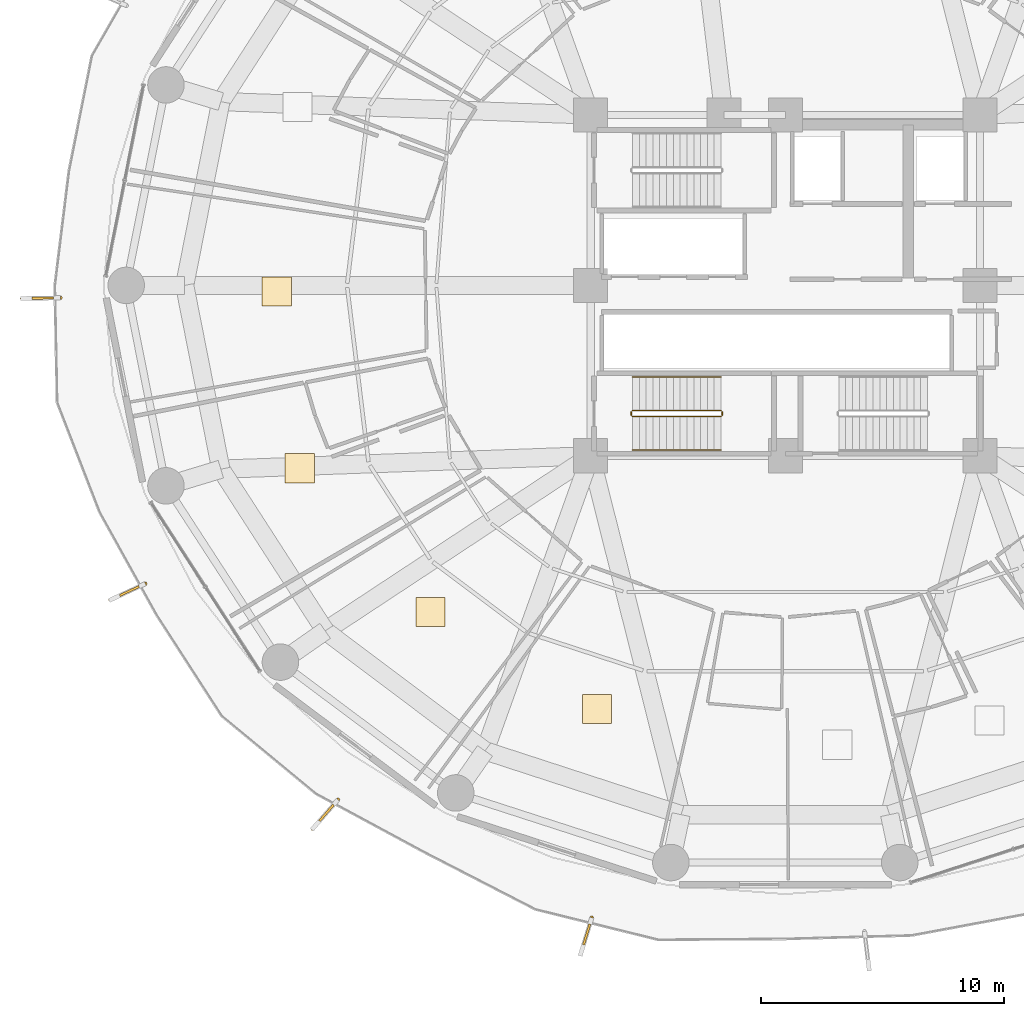
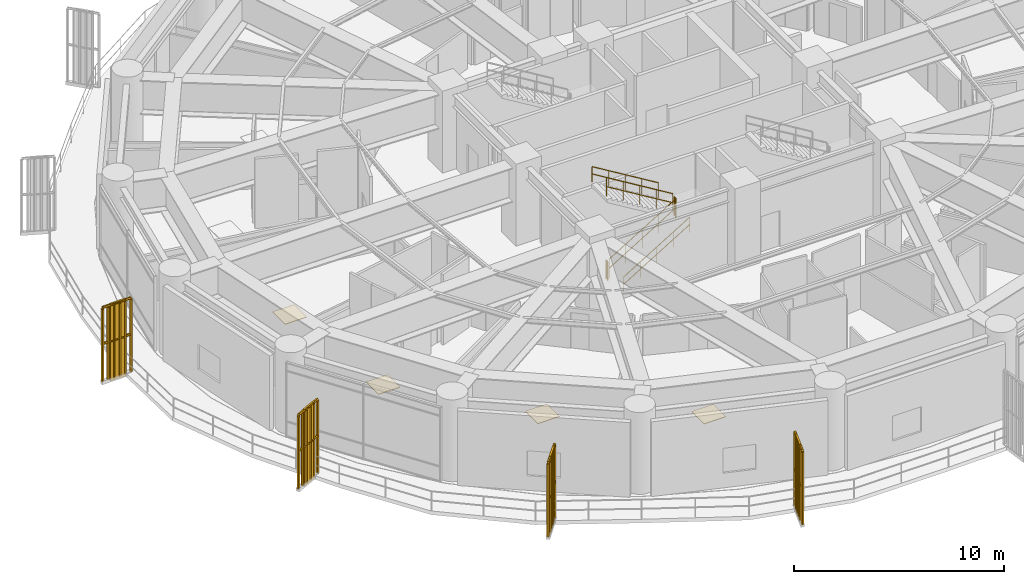
# One storey, part 27 of 31: 10 railings, 4 coverings, 4 shading devices.
"""IFC4 building model written with IfcOpenShell, lengths in metres."""

import ifcopenshell
import ifcopenshell.guid

model = None  # the IFC model being written
_history = None  # IfcOwnerHistory: only IFC2X3 demands one
_inside = {}  # id of a spatial element -> (the spatial element, [elements in it])
_under = {}  # id of a project, library or spatial element -> (it, [spatial elements below it])
_declared = {}  # id of a project -> (the project, [libraries it declares])
_typed = {}  # id of a type object -> (the type object, [elements of that type])
_made_of = {}  # id of a material, layer set ... -> (it, [elements and type objects made of it])


def new_model(schema):
    """Start an empty IFC model of exactly this schema.

    Asked for "IFC4X3", IfcOpenShell would pick the latest addendum, in which some entities
    have other attributes; the version numbers below select the first issue.
    IFC2X3 requires an IfcOwnerHistory on every rooted entity: one is made here for all.
    """
    global model, _history
    if schema == "IFC4X3":
        model = ifcopenshell.file(schema_version=(4, 3, 0, 0))
    else:
        model = ifcopenshell.file(schema=schema)
    _inside.clear()
    _under.clear()
    _declared.clear()
    _typed.clear()
    _made_of.clear()
    _history = None
    if model.schema == "IFC2X3":
        org = make("IfcOrganization", Name="unknown")
        user = make(
            "IfcPersonAndOrganization",
            ThePerson=make("IfcPerson", FamilyName="unknown"),
            TheOrganization=org,
        )
        app = make(
            "IfcApplication",
            ApplicationDeveloper=org,
            Version="unknown",
            ApplicationFullName="unknown",
            ApplicationIdentifier="unknown",
        )
        _history = make(
            "IfcOwnerHistory",
            OwningUser=user,
            OwningApplication=app,
            ChangeAction="ADDED",
            CreationDate=0,
        )
    return model


def make(cls, **values):
    """One entity of the class cls with the attributes given. An attribute that is None is left unset."""
    return model.create_entity(
        cls, **{name: value for name, value in values.items() if value is not None}
    )


def rooted(cls, **values):
    """An entity with a GlobalId (a new one), such as an element, a storey or a relation."""
    return make(cls, GlobalId=ifcopenshell.guid.new(), OwnerHistory=_history, **values)


def si_unit(unit_type, name, prefix=None):
    """IfcSIUnit, for example si_unit("LENGTHUNIT", "METRE", prefix="MILLI")."""
    return make("IfcSIUnit", UnitType=unit_type, Prefix=prefix, Name=name)


def assignment(units):
    """IfcUnitAssignment: the units of a project."""
    return None if units is None else make("IfcUnitAssignment", Units=units)


def point(xyz):
    """IfcCartesianPoint."""
    return None if xyz is None else make("IfcCartesianPoint", Coordinates=xyz)


def direction(xyz):
    """IfcDirection."""
    return None if xyz is None else make("IfcDirection", DirectionRatios=xyz)


def frame(location, z_axis=None, x_axis=None):
    """IfcAxis2Placement3D, a coordinate frame: its origin and axes. An axis left out is left unset."""
    return make(
        "IfcAxis2Placement3D",
        Location=point(location),
        Axis=direction(z_axis),
        RefDirection=direction(x_axis),
    )


def frame_2d(location, x_axis=None):
    """IfcAxis2Placement2D, a coordinate frame in the plane: its origin and x axis."""
    return make(
        "IfcAxis2Placement2D", Location=point(location), RefDirection=direction(x_axis)
    )


def origin():
    """The frame at (0, 0, 0) with its axes left unset."""
    return frame((0.0, 0.0, 0.0))


def origin_2d():
    """The frame at (0, 0) in the plane with its x axis left unset."""
    return frame_2d((0.0, 0.0))


def place(relative_to, where):
    """IfcLocalPlacement: puts the frame where relative to a parent placement (None: the world)."""
    return make(
        "IfcLocalPlacement", PlacementRelTo=relative_to, RelativePlacement=where
    )


def context(
    kind, dimensions, precision=None, world=None, true_north=None, identifier=None
):
    """IfcGeometricRepresentationContext, for example the 3D "Model" context."""
    return make(
        "IfcGeometricRepresentationContext",
        ContextIdentifier=identifier,
        ContextType=kind,
        CoordinateSpaceDimension=dimensions,
        Precision=precision,
        WorldCoordinateSystem=world,
        TrueNorth=true_north,
    )


def subcontext(parent, identifier, kind, view, scale=None):
    """IfcGeometricRepresentationSubContext, for example "Body" below "Model"."""
    return make(
        "IfcGeometricRepresentationSubContext",
        ContextIdentifier=identifier,
        ContextType=kind,
        ParentContext=parent,
        TargetScale=scale,
        TargetView=view,
    )


def project(units=None, contexts=None):
    """IfcProject with its units and contexts."""
    return rooted(
        "IfcProject",
        Name="project",
        RepresentationContexts=contexts,
        UnitsInContext=assignment(units),
    )


def spatial(cls, under=None, at=None, **own):
    """A site, building, storey or space (cls), placed at a placement, below another one or the project."""
    s = rooted(cls, ObjectPlacement=at, **own)
    if under is not None:
        _under.setdefault(under.id(), (under, []))[1].append(s)
    return s


def polyline(points):
    """IfcPolyline through the points."""
    return make("IfcPolyline", Points=[point(p) for p in points])


def profile(cls, at=None, kind="AREA", **sizes):
    """A parametric profile (cls). Its sizes go by their IFC names, for example OverallWidth=200.0."""
    return make(cls, ProfileType=kind, Position=at, **sizes)


def rectangle(**sizes):
    """IfcRectangleProfileDef."""
    return profile("IfcRectangleProfileDef", **sizes)


def outline(outer, holes=None, kind="AREA"):
    """IfcArbitraryClosedProfileDef: a profile drawn as a closed curve; with holes, ...WithVoids."""
    if holes is None:
        return make("IfcArbitraryClosedProfileDef", ProfileType=kind, OuterCurve=outer)
    return make(
        "IfcArbitraryProfileDefWithVoids",
        ProfileType=kind,
        OuterCurve=outer,
        InnerCurves=holes,
    )


def extrude(swept, where, along, depth):
    """IfcExtrudedAreaSolid: the profile swept, set in the frame where, extruded along a direction by depth."""
    return make(
        "IfcExtrudedAreaSolid",
        SweptArea=swept,
        Position=where,
        ExtrudedDirection=direction(along),
        Depth=depth,
    )


def shape(context_of_items, identifier, shape_type, items):
    """IfcShapeRepresentation: the items that make up one representation, for example the "Body"."""
    return make(
        "IfcShapeRepresentation",
        ContextOfItems=context_of_items,
        RepresentationIdentifier=identifier,
        RepresentationType=shape_type,
        Items=items,
    )


def source(mapping_origin, context_of_items, identifier, shape_type, items):
    """IfcRepresentationMap: a shape defined once, which mapped items show again and again."""
    return make(
        "IfcRepresentationMap",
        MappingOrigin=mapping_origin,
        MappedRepresentation=shape(context_of_items, identifier, shape_type, items),
    )


def transform(
    local_origin,
    x_axis=None,
    y_axis=None,
    z_axis=None,
    scale=None,
    scale2=None,
    scale3=None,
    uniform=True,
):
    """IfcCartesianTransformationOperator3D, or its non-uniform kind. x_axis, y_axis, z_axis: its Axis1, 2, 3."""
    if uniform:
        return make(
            "IfcCartesianTransformationOperator3D",
            Axis1=direction(x_axis),
            Axis2=direction(y_axis),
            LocalOrigin=point(local_origin),
            Scale=scale,
            Axis3=direction(z_axis),
        )
    return make(
        "IfcCartesianTransformationOperator3DnonUniform",
        Axis1=direction(x_axis),
        Axis2=direction(y_axis),
        LocalOrigin=point(local_origin),
        Scale=scale,
        Axis3=direction(z_axis),
        Scale2=scale2,
        Scale3=scale3,
    )


def mapped(mapping_source, mapping_target):
    """IfcMappedItem: shows the shape of a source again, moved by a transform."""
    return make(
        "IfcMappedItem", MappingSource=mapping_source, MappingTarget=mapping_target
    )


def material(Name=None, Category=None):
    """IfcMaterial."""
    return make("IfcMaterial", Name=Name, Category=Category)


def layer(
    of_material, thickness, ventilated=None, Name=None, Category=None, Priority=None
):
    """IfcMaterialLayer: one layer of a wall or slab, of a material (None: an air gap)."""
    return make(
        "IfcMaterialLayer",
        Material=of_material,
        LayerThickness=thickness,
        IsVentilated=ventilated,
        Name=Name,
        Category=Category,
        Priority=Priority,
    )


def layer_set(layers, Name=None):
    """IfcMaterialLayerSet."""
    return make("IfcMaterialLayerSet", MaterialLayers=layers, LayerSetName=Name)


def made_of(thing, what):
    """Note that an element or type object is made of a material, layer set ...; save() writes the relation."""
    if what is not None:
        _made_of.setdefault(what.id(), (what, []))[1].append(thing)
    return thing


def type_object(cls, material=None, **own):
    """A type object (cls), such as IfcWallType, which elements share."""
    return made_of(rooted(cls, **own), material)


def element(
    cls,
    number,
    at=None,
    inside=None,
    cuts=None,
    type_object=None,
    material=None,
    context=None,
    identifier="Body",
    shape_type=None,
    held_by="IfcProductDefinitionShape",
    body=None,
    shapes=None,
    **own,
):
    """One element of the class cls, such as IfcWall. Its Tag is "e" and its number.

    at: its placement. inside: the storey or other place that contains it. cuts: it is an
    opening in that element (IfcRelVoidsElement). A single representation is given by context,
    identifier, shape_type and body (its items); several are given by shapes. held_by: the class
    of the entity that holds the representations. save() writes the other relations.
    """
    e = rooted(cls, Tag="e%d" % number, ObjectPlacement=at, **own)
    if body is not None:
        shapes = [shape(context, identifier, shape_type, body)]
    if shapes is not None:
        e.Representation = make(held_by, Representations=shapes)
    if inside is not None:
        _inside.setdefault(inside.id(), (inside, []))[1].append(e)
    if cuts is not None:
        rooted(
            "IfcRelVoidsElement", RelatingBuildingElement=cuts, RelatedOpeningElement=e
        )
    if type_object is not None:
        _typed.setdefault(type_object.id(), (type_object, []))[1].append(e)
    return made_of(e, material)


def aggregate(whole, parts):
    """IfcRelAggregates: a whole, such as a stair, and the parts it consists of."""
    return rooted("IfcRelAggregates", RelatingObject=whole, RelatedObjects=parts)


def save(model, path):
    """Write the relations noted so far, then the file.

    IfcRelAggregates (storeys below a building ...), IfcRelContainedInSpatialStructure (elements
    in a storey), IfcRelDefinesByType, IfcRelAssociatesMaterial and IfcRelDeclares: one each for
    every whole, place, type object, material and project.
    """
    for whole, parts in _under.values():
        aggregate(whole, parts)
    for where, things in _inside.values():
        rooted(
            "IfcRelContainedInSpatialStructure",
            RelatedElements=things,
            RelatingStructure=where,
        )
    for kind, things in _typed.values():
        rooted("IfcRelDefinesByType", RelatedObjects=things, RelatingType=kind)
    for what, things in _made_of.values():
        rooted("IfcRelAssociatesMaterial", RelatedObjects=things, RelatingMaterial=what)
    for by, libraries in _declared.values():
        rooted("IfcRelDeclares", RelatingContext=by, RelatedDefinitions=libraries)
    model.write(path)


model = new_model("IFC4")

# Units and contexts
model_context = context("Model", 3, precision=1e-05, world=origin(), true_north=direction((0.0, 1.0)))
body_context = subcontext(model_context, "Body", "Model", "MODEL_VIEW")
ifc_project = project(units=[si_unit("LENGTHUNIT", "METRE"), si_unit("AREAUNIT", "SQUARE_METRE"), si_unit("VOLUMEUNIT", "CUBIC_METRE"), si_unit("PLANEANGLEUNIT", "RADIAN"), si_unit("MASSUNIT", "GRAM", prefix="KILO")], contexts=[model_context])

# Site, building, storey
site_placement = place(None, origin())
site = spatial("IfcSite", under=ifc_project, at=site_placement, CompositionType="ELEMENT")
building_placement = place(site_placement, origin())
building = spatial("IfcBuilding", under=site, at=building_placement, Name="Kelanora Arch Commons", CompositionType="ELEMENT")
storey_placement = place(building_placement, frame((0.0, 0.0, 67.5)))
storey = spatial("IfcBuildingStorey", under=building, at=storey_placement, Name="L17", CompositionType="ELEMENT", Elevation=67.5)

# Railings
ifc_material_1 = material(Name="Anodised bronze vertical shading fin rib assembly")
railing_type_1 = type_object("IfcRailingType", Name="RAIL-FIN-BRZ", PredefinedType="BALUSTRADE", material=ifc_material_1)
railing_1_placement = place(storey_placement, frame((44.216064453125, 57.48779296875, -0.02001953125)))
element("IfcRailing", 1, at=railing_1_placement, inside=storey, type_object=railing_type_1, Name="Sweeping Bronze Vertical Fin Blade L17-06", PredefinedType="BALUSTRADE", context=body_context, shape_type="SweptSolid", body=[
    extrude(outline(polyline([(0.06982421875, 0.0), (0.034912109375, 0.060546875), (-0.034912109375, 0.060546875), (-0.06982421875, 0.0), (-0.034912109375, -0.060546875), (0.034912109375, -0.060546875), (0.06982421875, 0.0)])), frame((0.0, 0.0, 4.2900390625), z_axis=(-0.999852911969, -0.017150930803, 0.0), x_axis=(0.017150930803, -0.999852911969, 0.0)), (0.0, 0.0, 1.0), 1.580078125),
    extrude(outline(polyline([(0.06982421875, 0.0), (0.034912109375, 0.060546875), (-0.034912109375, 0.060546875), (-0.06982421875, 0.0), (-0.034912109375, -0.060546875), (0.034912109375, -0.060546875), (0.06982421875, 0.0)])), frame((0.0, 0.0, 2.18017578125), z_axis=(-0.999852911969, -0.017150930803, 0.0), x_axis=(0.017150930803, -0.999852911969, 0.0)), (0.0, 0.0, 1.0), 1.580078125),
    extrude(outline(polyline([(0.080078125, 0.0), (0.0400390625, 0.0693359375), (-0.0400390625, 0.0693359375), (-0.080078125, 0.0), (-0.0400390625, -0.0693359375), (0.0400390625, -0.0693359375), (0.080078125, 0.0)])), origin(), (0.0, 0.0, 1.0), 4.22021484375),
    extrude(outline(polyline([(0.080078125, 0.0), (0.0400390625, 0.0693359375), (-0.0400390625, 0.0693359375), (-0.080078125, 0.0), (-0.0400390625, -0.0693359375), (0.0400390625, -0.0693359375), (0.080078125, 0.0)])), frame((-0.31591796875, -0.00537109375, 0.0)), (0.0, 0.0, 1.0), 4.22021484375),
    extrude(outline(polyline([(0.080078125, 0.0), (0.0400390625, 0.0693359375), (-0.0400390625, 0.0693359375), (-0.080078125, 0.0), (-0.0400390625, -0.0693359375), (0.0400390625, -0.0693359375), (0.080078125, 0.0)])), frame((-0.6318359375, -0.0107421875, 0.0)), (0.0, 0.0, 1.0), 4.22021484375),
    extrude(outline(polyline([(0.080078125, 0.0), (0.0400390625, 0.0693359375), (-0.0400390625, 0.0693359375), (-0.080078125, 0.0), (-0.0400390625, -0.0693359375), (0.0400390625, -0.0693359375), (0.080078125, 0.0)])), frame((-0.947998046875, -0.016357421875, 0.0)), (0.0, 0.0, 1.0), 4.22021484375),
    extrude(outline(polyline([(0.080078125, 0.0), (0.0400390625, 0.0693359375), (-0.0400390625, 0.0693359375), (-0.080078125, 0.0), (-0.0400390625, -0.0693359375), (0.0400390625, -0.0693359375), (0.080078125, 0.0)])), frame((-1.263916015625, -0.021728515625, 0.0)), (0.0, 0.0, 1.0), 4.22021484375),
    extrude(outline(polyline([(0.080078125, 0.0), (0.0400390625, 0.0693359375), (-0.0400390625, 0.0693359375), (-0.080078125, 0.0), (-0.0400390625, -0.0693359375), (0.0400390625, -0.0693359375), (0.080078125, 0.0)])), frame((-1.579833984375, -0.027099609375, 0.0)), (0.0, 0.0, 1.0), 4.22021484375),
])
railing_2_placement = place(storey_placement, frame((47.7041015625, 45.746337890625, -0.02001953125)))
element("IfcRailing", 2, at=railing_2_placement, inside=storey, type_object=railing_type_1, Name="Sweeping Bronze Vertical Fin Blade L17-07", PredefinedType="BALUSTRADE", context=body_context, shape_type="SweptSolid", body=[
    extrude(outline(polyline([(0.06982421875, 0.0), (0.034912109375, 0.060546875), (-0.034912109375, 0.060546875), (-0.06982421875, 0.0), (-0.034912109375, -0.060546875), (0.034912109375, -0.060546875), (0.06982421875, 0.0)])), frame((0.0, 0.0, 4.2900390625), z_axis=(-0.906447461029, -0.422318600578, 0.0), x_axis=(0.422318600578, -0.906447461029, 0.0)), (0.0, 0.0, 1.0), 1.579833984375),
    extrude(outline(polyline([(0.06982421875, 0.0), (0.034912109375, 0.060546875), (-0.034912109375, 0.060546875), (-0.06982421875, 0.0), (-0.034912109375, -0.060546875), (0.034912109375, -0.060546875), (0.06982421875, 0.0)])), frame((0.0, 0.0, 2.18017578125), z_axis=(-0.906447461029, -0.422318600578, 0.0), x_axis=(0.422318600578, -0.906447461029, 0.0)), (0.0, 0.0, 1.0), 1.579833984375),
    extrude(outline(polyline([(0.080078125, 0.0), (0.0400390625, 0.0693359375), (-0.0400390625, 0.0693359375), (-0.080078125, 0.0), (-0.0400390625, -0.0693359375), (0.0400390625, -0.0693359375), (0.080078125, 0.0)])), origin(), (0.0, 0.0, 1.0), 4.22021484375),
    extrude(outline(polyline([(0.080078125, 0.0), (0.0400390625, 0.0693359375), (-0.0400390625, 0.0693359375), (-0.080078125, 0.0), (-0.0400390625, -0.0693359375), (0.0400390625, -0.0693359375), (0.080078125, 0.0)])), frame((-0.286376953125, -0.133544921875, 0.0)), (0.0, 0.0, 1.0), 4.22021484375),
    extrude(outline(polyline([(0.080078125, 0.0), (0.0400390625, 0.0693359375), (-0.0400390625, 0.0693359375), (-0.080078125, 0.0), (-0.0400390625, -0.0693359375), (0.0400390625, -0.0693359375), (0.080078125, 0.0)])), frame((-0.57275390625, -0.266845703125, 0.0)), (0.0, 0.0, 1.0), 4.22021484375),
    extrude(outline(polyline([(0.080078125, 0.0), (0.0400390625, 0.0693359375), (-0.0400390625, 0.0693359375), (-0.080078125, 0.0), (-0.0400390625, -0.0693359375), (0.0400390625, -0.0693359375), (0.080078125, 0.0)])), frame((-0.859375, -0.400390625, 0.0)), (0.0, 0.0, 1.0), 4.22021484375),
    extrude(outline(polyline([(0.080078125, 0.0), (0.0400390625, 0.0693359375), (-0.0400390625, 0.0693359375), (-0.080078125, 0.0), (-0.0400390625, -0.0693359375), (0.0400390625, -0.0693359375), (0.080078125, 0.0)])), frame((-1.145751953125, -0.53369140625, 0.0)), (0.0, 0.0, 1.0), 4.22021484375),
    extrude(outline(polyline([(0.080078125, 0.0), (0.0400390625, 0.0693359375), (-0.0400390625, 0.0693359375), (-0.080078125, 0.0), (-0.0400390625, -0.0693359375), (0.0400390625, -0.0693359375), (0.080078125, 0.0)])), frame((-1.43212890625, -0.667236328125, 0.0)), (0.0, 0.0, 1.0), 4.22021484375),
])
railing_3_placement = place(storey_placement, frame((55.622802734375, 36.87060546875, -0.02001953125)))
element("IfcRailing", 3, at=railing_3_placement, inside=storey, type_object=railing_type_1, Name="Sweeping Bronze Vertical Fin Blade L17-08", PredefinedType="BALUSTRADE", context=body_context, shape_type="SweptSolid", body=[
    extrude(outline(polyline([(0.06982421875, 0.0), (0.034912109375, 0.060546875), (-0.034912109375, 0.060546875), (-0.06982421875, 0.0), (-0.034912109375, -0.060546875), (0.034912109375, -0.060546875), (0.06982421875, 0.0)])), frame((0.0, 0.0, 4.2900390625), z_axis=(-0.656270505644, -0.754525694342, 0.0), x_axis=(0.754525694342, -0.656270505644, 0.0)), (0.0, 0.0, 1.0), 1.580322265625),
    extrude(outline(polyline([(0.06982421875, 0.0), (0.034912109375, 0.060546875), (-0.034912109375, 0.060546875), (-0.06982421875, 0.0), (-0.034912109375, -0.060546875), (0.034912109375, -0.060546875), (0.06982421875, 0.0)])), frame((0.0, 0.0, 2.18017578125), z_axis=(-0.656270505644, -0.754525694342, 0.0), x_axis=(0.754525694342, -0.656270505644, 0.0)), (0.0, 0.0, 1.0), 1.580322265625),
    extrude(outline(polyline([(0.080078125, 0.0), (0.0400390625, 0.0693359375), (-0.0400390625, 0.0693359375), (-0.080078125, 0.0), (-0.0400390625, -0.0693359375), (0.0400390625, -0.0693359375), (0.080078125, 0.0)])), origin(), (0.0, 0.0, 1.0), 4.22021484375),
    extrude(outline(polyline([(0.080078125, 0.0), (0.0400390625, 0.0693359375), (-0.0400390625, 0.0693359375), (-0.080078125, 0.0), (-0.0400390625, -0.0693359375), (0.0400390625, -0.0693359375), (0.080078125, 0.0)])), frame((-0.20751953125, -0.238525390625, 0.0)), (0.0, 0.0, 1.0), 4.22021484375),
    extrude(outline(polyline([(0.080078125, 0.0), (0.0400390625, 0.0693359375), (-0.0400390625, 0.0693359375), (-0.080078125, 0.0), (-0.0400390625, -0.0693359375), (0.0400390625, -0.0693359375), (0.080078125, 0.0)])), frame((-0.414794921875, -0.47705078125, 0.0)), (0.0, 0.0, 1.0), 4.22021484375),
    extrude(outline(polyline([(0.080078125, 0.0), (0.0400390625, 0.0693359375), (-0.0400390625, 0.0693359375), (-0.080078125, 0.0), (-0.0400390625, -0.0693359375), (0.0400390625, -0.0693359375), (0.080078125, 0.0)])), frame((-0.622314453125, -0.71533203125, 0.0)), (0.0, 0.0, 1.0), 4.22021484375),
    extrude(outline(polyline([(0.080078125, 0.0), (0.0400390625, 0.0693359375), (-0.0400390625, 0.0693359375), (-0.080078125, 0.0), (-0.0400390625, -0.0693359375), (0.0400390625, -0.0693359375), (0.080078125, 0.0)])), frame((-0.82958984375, -0.953857421875, 0.0)), (0.0, 0.0, 1.0), 4.22021484375),
    extrude(outline(polyline([(0.080078125, 0.0), (0.0400390625, 0.0693359375), (-0.0400390625, 0.0693359375), (-0.080078125, 0.0), (-0.0400390625, -0.0693359375), (0.0400390625, -0.0693359375), (0.080078125, 0.0)])), frame((-1.037109375, -1.1923828125, 0.0)), (0.0, 0.0, 1.0), 4.22021484375),
])
railing_4_placement = place(storey_placement, frame((66.0498046875, 32.02001953125, -0.02001953125)))
element("IfcRailing", 4, at=railing_4_placement, inside=storey, type_object=railing_type_1, Name="Sweeping Bronze Vertical Fin Blade L17-09", PredefinedType="BALUSTRADE", context=body_context, shape_type="SweptSolid", body=[
    extrude(outline(polyline([(0.06982421875, 0.0), (0.034912109375, 0.060546875), (-0.034912109375, 0.060546875), (-0.06982421875, 0.0), (-0.034912109375, -0.060546875), (0.034912109375, -0.060546875), (0.06982421875, 0.0)])), frame((0.0, 0.0, 4.2900390625), z_axis=(-0.292630664635, -0.95622554563, 0.0), x_axis=(0.95622554563, -0.292630664635, 0.0)), (0.0, 0.0, 1.0), 1.580078125),
    extrude(outline(polyline([(0.06982421875, 0.0), (0.034912109375, 0.060546875), (-0.034912109375, 0.060546875), (-0.06982421875, 0.0), (-0.034912109375, -0.060546875), (0.034912109375, -0.060546875), (0.06982421875, 0.0)])), frame((0.0, 0.0, 2.18017578125), z_axis=(-0.292630664635, -0.95622554563, 0.0), x_axis=(0.95622554563, -0.292630664635, 0.0)), (0.0, 0.0, 1.0), 1.580078125),
    extrude(outline(polyline([(0.080078125, 0.0), (0.0400390625, 0.0693359375), (-0.0400390625, 0.0693359375), (-0.080078125, 0.0), (-0.0400390625, -0.0693359375), (0.0400390625, -0.0693359375), (0.080078125, 0.0)])), origin(), (0.0, 0.0, 1.0), 4.22021484375),
    extrude(outline(polyline([(0.080078125, 0.0), (0.0400390625, 0.0693359375), (-0.0400390625, 0.0693359375), (-0.080078125, 0.0), (-0.0400390625, -0.0693359375), (0.0400390625, -0.0693359375), (0.080078125, 0.0)])), frame((-0.092529296875, -0.30224609375, 0.0)), (0.0, 0.0, 1.0), 4.22021484375),
    extrude(outline(polyline([(0.080078125, 0.0), (0.0400390625, 0.0693359375), (-0.0400390625, 0.0693359375), (-0.080078125, 0.0), (-0.0400390625, -0.0693359375), (0.0400390625, -0.0693359375), (0.080078125, 0.0)])), frame((-0.18505859375, -0.6044921875, 0.0)), (0.0, 0.0, 1.0), 4.22021484375),
    extrude(outline(polyline([(0.080078125, 0.0), (0.0400390625, 0.0693359375), (-0.0400390625, 0.0693359375), (-0.080078125, 0.0), (-0.0400390625, -0.0693359375), (0.0400390625, -0.0693359375), (0.080078125, 0.0)])), frame((-0.27734375, -0.906494140625, 0.0)), (0.0, 0.0, 1.0), 4.22021484375),
    extrude(outline(polyline([(0.080078125, 0.0), (0.0400390625, 0.0693359375), (-0.0400390625, 0.0693359375), (-0.080078125, 0.0), (-0.0400390625, -0.0693359375), (0.0400390625, -0.0693359375), (0.080078125, 0.0)])), frame((-0.369873046875, -1.208740234375, 0.0)), (0.0, 0.0, 1.0), 4.22021484375),
    extrude(outline(polyline([(0.080078125, 0.0), (0.0400390625, 0.0693359375), (-0.0400390625, 0.0693359375), (-0.080078125, 0.0), (-0.0400390625, -0.0693359375), (0.0400390625, -0.0693359375), (0.080078125, 0.0)])), frame((-0.46240234375, -1.510986328125, 0.0)), (0.0, 0.0, 1.0), 4.22021484375),
])
ifc_material_2 = material(Name="Painted steel stair well guard", Category="steel")
railing_type_2 = type_object("IfcRailingType", Name="RAIL-STAIR-GRD", PredefinedType="GUARDRAIL", material=ifc_material_2)
railing_5_placement = place(storey_placement, frame((67.719970703125, 52.610107421875, 0.169921875)))
element("IfcRailing", 5, at=railing_5_placement, inside=storey, type_object=railing_type_2, Name="L17 ST-T3 stair guard 1", PredefinedType="GUARDRAIL", context=body_context, shape_type="SweptSolid", body=[
    extrude(outline(polyline([(0.02392578125, 0.0), (0.011962890625, 0.020751953125), (-0.011962890625, 0.020751953125), (-0.02392578125, 0.0), (-0.011962890625, -0.020751953125), (0.011962890625, -0.020751953125), (0.02392578125, 0.0)])), frame((0.0, 0.0, 1.076171875), z_axis=(0.854800231366, 0.0, 0.518957189425), x_axis=(0.0, 1.0, 0.0)), (0.0, 0.0, 1.0), 4.258544921875),
    extrude(outline(polyline([(0.02392578125, 0.0), (0.011962890625, 0.020751953125), (-0.011962890625, 0.020751953125), (-0.02392578125, 0.0), (-0.011962890625, -0.020751953125), (0.011962890625, -0.020751953125), (0.02392578125, 0.0)])), frame((0.0, 0.0, 0.550048828125), z_axis=(0.854800231366, 0.0, 0.518957189425), x_axis=(0.0, 1.0, 0.0)), (0.0, 0.0, 1.0), 4.258544921875),
    extrude(outline(polyline([(0.02099609375, 0.0), (0.010498046875, 0.01806640625), (-0.010498046875, 0.01806640625), (-0.02099609375, 0.0), (-0.010498046875, -0.01806640625), (0.010498046875, -0.01806640625), (0.02099609375, 0.0)])), origin(), (0.0, 0.0, 1.0), 1.052001953125),
    extrude(outline(polyline([(0.02099609375, 0.0), (0.010498046875, 0.01806640625), (-0.010498046875, 0.01806640625), (-0.02099609375, 0.0), (-0.010498046875, -0.01806640625), (0.010498046875, -0.01806640625), (0.02099609375, 0.0)])), frame((0.91015625, 0.0, 0.552490234375)), (0.0, 0.0, 1.0), 1.052001953125),
    extrude(outline(polyline([(0.02099609375, 0.0), (0.010498046875, 0.01806640625), (-0.010498046875, 0.01806640625), (-0.02099609375, 0.0), (-0.010498046875, -0.01806640625), (0.010498046875, -0.01806640625), (0.02099609375, 0.0)])), frame((1.820068359375, 0.0, 1.10498046875)), (0.0, 0.0, 1.0), 1.052001953125),
    extrude(outline(polyline([(0.02099609375, 0.0), (0.010498046875, 0.01806640625), (-0.010498046875, 0.01806640625), (-0.02099609375, 0.0), (-0.010498046875, -0.01806640625), (0.010498046875, -0.01806640625), (0.02099609375, 0.0)])), frame((2.72998046875, 0.0, 1.657470703125)), (0.0, 0.0, 1.0), 1.052001953125),
    extrude(outline(polyline([(0.02099609375, 0.0), (0.010498046875, 0.01806640625), (-0.010498046875, 0.01806640625), (-0.02099609375, 0.0), (-0.010498046875, -0.01806640625), (0.010498046875, -0.01806640625), (0.02099609375, 0.0)])), frame((3.64013671875, 0.0, 2.2099609375)), (0.0, 0.0, 1.0), 1.052001953125),
])
railing_6_placement = place(storey_placement, frame((71.409912109375, 52.659912109375, 2.3798828125)))
element("IfcRailing", 6, at=railing_6_placement, inside=storey, type_object=railing_type_2, Name="L17 ST-T3 stair guard 2", PredefinedType="GUARDRAIL", context=body_context, shape_type="SweptSolid", body=[
    extrude(outline(polyline([(0.02392578125, 0.0), (0.011962890625, 0.020751953125), (-0.011962890625, 0.020751953125), (-0.02392578125, 0.0), (-0.011962890625, -0.020751953125), (0.011962890625, -0.020751953125), (0.02392578125, 0.0)])), frame((0.0, 0.0, 1.076171875), z_axis=(0.0, 1.0, 0.0), x_axis=(-1.0, 0.0, 0.0)), (0.0, 0.0, 1.0), 0.150146484375),
    extrude(outline(polyline([(0.02392578125, 0.0), (0.011962890625, 0.020751953125), (-0.011962890625, 0.020751953125), (-0.02392578125, 0.0), (-0.011962890625, -0.020751953125), (0.011962890625, -0.020751953125), (0.02392578125, 0.0)])), frame((0.0, 0.0, 0.550048828125), z_axis=(0.0, 1.0, 0.0), x_axis=(-1.0, 0.0, 0.0)), (0.0, 0.0, 1.0), 0.150146484375),
    extrude(outline(polyline([(0.02099609375, 0.0), (0.010498046875, 0.01806640625), (-0.010498046875, 0.01806640625), (-0.02099609375, 0.0), (-0.010498046875, -0.01806640625), (0.010498046875, -0.01806640625), (0.02099609375, 0.0)])), origin(), (0.0, 0.0, 1.0), 1.052001953125),
    extrude(outline(polyline([(0.02099609375, 0.0), (0.010498046875, 0.01806640625), (-0.010498046875, 0.01806640625), (-0.02099609375, 0.0), (-0.010498046875, -0.01806640625), (0.010498046875, -0.01806640625), (0.02099609375, 0.0)])), frame((0.0, 0.150146484375, 0.0)), (0.0, 0.0, 1.0), 1.052001953125),
])
railing_7_placement = place(storey_placement, frame((71.360107421875, 52.860107421875, 2.550048828125)))
element("IfcRailing", 7, at=railing_7_placement, inside=storey, type_object=railing_type_2, Name="L17 ST-T3 stair guard 3", PredefinedType="GUARDRAIL", context=body_context, shape_type="SweptSolid", body=[
    extrude(outline(polyline([(0.02392578125, 0.0), (0.011962890625, 0.020751953125), (-0.011962890625, 0.020751953125), (-0.02392578125, 0.0), (-0.011962890625, -0.020751953125), (0.011962890625, -0.020751953125), (0.02392578125, 0.0)])), frame((0.0, 0.0, 1.076171875), z_axis=(-0.854800231366, 0.0, 0.518957189425), x_axis=(0.0, -1.0, 0.0)), (0.0, 0.0, 1.0), 4.258544921875),
    extrude(outline(polyline([(0.02392578125, 0.0), (0.011962890625, 0.020751953125), (-0.011962890625, 0.020751953125), (-0.02392578125, 0.0), (-0.011962890625, -0.020751953125), (0.011962890625, -0.020751953125), (0.02392578125, 0.0)])), frame((0.0, 0.0, 0.550048828125), z_axis=(-0.854800231366, 0.0, 0.518957189425), x_axis=(0.0, -1.0, 0.0)), (0.0, 0.0, 1.0), 4.258544921875),
    extrude(outline(polyline([(0.02099609375, 0.0), (0.010498046875, 0.01806640625), (-0.010498046875, 0.01806640625), (-0.02099609375, 0.0), (-0.010498046875, -0.01806640625), (0.010498046875, -0.01806640625), (0.02099609375, 0.0)])), origin(), (0.0, 0.0, 1.0), 1.052001953125),
    extrude(outline(polyline([(0.02099609375, 0.0), (0.010498046875, 0.01806640625), (-0.010498046875, 0.01806640625), (-0.02099609375, 0.0), (-0.010498046875, -0.01806640625), (0.010498046875, -0.01806640625), (0.02099609375, 0.0)])), frame((-0.91015625, 0.0, 0.552490234375)), (0.0, 0.0, 1.0), 1.052001953125),
    extrude(outline(polyline([(0.02099609375, 0.0), (0.010498046875, 0.01806640625), (-0.010498046875, 0.01806640625), (-0.02099609375, 0.0), (-0.010498046875, -0.01806640625), (0.010498046875, -0.01806640625), (0.02099609375, 0.0)])), frame((-1.820068359375, 0.0, 1.10498046875)), (0.0, 0.0, 1.0), 1.052001953125),
    extrude(outline(polyline([(0.02099609375, 0.0), (0.010498046875, 0.01806640625), (-0.010498046875, 0.01806640625), (-0.02099609375, 0.0), (-0.010498046875, -0.01806640625), (0.010498046875, -0.01806640625), (0.02099609375, 0.0)])), frame((-2.72998046875, 0.0, 1.657470703125)), (0.0, 0.0, 1.0), 1.052001953125),
    extrude(outline(polyline([(0.02099609375, 0.0), (0.010498046875, 0.01806640625), (-0.010498046875, 0.01806640625), (-0.02099609375, 0.0), (-0.010498046875, -0.01806640625), (0.010498046875, -0.01806640625), (0.02099609375, 0.0)])), frame((-3.64013671875, 0.0, 2.2099609375)), (0.0, 0.0, 1.0), 1.052001953125),
])
railing_8_placement = place(storey_placement, frame((67.669921875, 52.659912109375, 0.0)))
element("IfcRailing", 8, at=railing_8_placement, inside=storey, type_object=railing_type_2, Name="L17 ST-T3 stair guard 4", PredefinedType="GUARDRAIL", context=body_context, shape_type="SweptSolid", body=[
    extrude(outline(polyline([(0.02392578125, 0.0), (0.011962890625, 0.020751953125), (-0.011962890625, 0.020751953125), (-0.02392578125, 0.0), (-0.011962890625, -0.020751953125), (0.011962890625, -0.020751953125), (0.02392578125, 0.0)])), frame((0.0, 0.0, 1.076171875), z_axis=(0.0, 1.0, 0.0), x_axis=(-1.0, 0.0, 0.0)), (0.0, 0.0, 1.0), 0.150146484375),
    extrude(outline(polyline([(0.02392578125, 0.0), (0.011962890625, 0.020751953125), (-0.011962890625, 0.020751953125), (-0.02392578125, 0.0), (-0.011962890625, -0.020751953125), (0.011962890625, -0.020751953125), (0.02392578125, 0.0)])), frame((0.0, 0.0, 0.550048828125), z_axis=(0.0, 1.0, 0.0), x_axis=(-1.0, 0.0, 0.0)), (0.0, 0.0, 1.0), 0.150146484375),
    extrude(outline(polyline([(0.02099609375, 0.0), (0.010498046875, 0.01806640625), (-0.010498046875, 0.01806640625), (-0.02099609375, 0.0), (-0.010498046875, -0.01806640625), (0.010498046875, -0.01806640625), (0.02099609375, 0.0)])), origin(), (0.0, 0.0, 1.0), 1.052001953125),
    extrude(outline(polyline([(0.02099609375, 0.0), (0.010498046875, 0.01806640625), (-0.010498046875, 0.01806640625), (-0.02099609375, 0.0), (-0.010498046875, -0.01806640625), (0.010498046875, -0.01806640625), (0.02099609375, 0.0)])), frame((0.0, 0.150146484375, 0.0)), (0.0, 0.0, 1.0), 1.052001953125),
])
ifc_material_3 = material(Name="Brushed stainless steel stair handrail", Category="steel")
railing_type_3 = type_object("IfcRailingType", Name="RAIL-STAIR-HND", PredefinedType="HANDRAIL", material=ifc_material_3)
railing_9_placement = place(storey_placement, frame((67.719970703125, 51.22998046875, 0.169921875)))
element("IfcRailing", 9, at=railing_9_placement, inside=storey, type_object=railing_type_3, Name="L17 ST-T3 stair handrail 1", PredefinedType="HANDRAIL", context=body_context, shape_type="SweptSolid", body=[
    extrude(outline(polyline([(0.02392578125, 0.0), (0.011962890625, 0.020751953125), (-0.011962890625, 0.020751953125), (-0.02392578125, 0.0), (-0.011962890625, -0.020751953125), (0.011962890625, -0.020751953125), (0.02392578125, 0.0)])), frame((0.0, 0.0, 0.8759765625), z_axis=(0.854800231366, 0.0, 0.518957189425), x_axis=(0.0, 1.0, 0.0)), (0.0, 0.0, 1.0), 4.258544921875),
    extrude(outline(polyline([(0.02392578125, 0.0), (0.011962890625, 0.020751953125), (-0.011962890625, 0.020751953125), (-0.02392578125, 0.0), (-0.011962890625, -0.020751953125), (0.011962890625, -0.020751953125), (0.02392578125, 0.0)])), frame((0.0, 0.0, 0.449951171875), z_axis=(0.854800231366, 0.0, 0.518957189425), x_axis=(0.0, 1.0, 0.0)), (0.0, 0.0, 1.0), 4.258544921875),
    extrude(outline(polyline([(0.02099609375, 0.0), (0.010498046875, 0.01806640625), (-0.010498046875, 0.01806640625), (-0.02099609375, 0.0), (-0.010498046875, -0.01806640625), (0.010498046875, -0.01806640625), (0.02099609375, 0.0)])), origin(), (0.0, 0.0, 1.0), 0.851806640625),
    extrude(outline(polyline([(0.02099609375, 0.0), (0.010498046875, 0.01806640625), (-0.010498046875, 0.01806640625), (-0.02099609375, 0.0), (-0.010498046875, -0.01806640625), (0.010498046875, -0.01806640625), (0.02099609375, 0.0)])), frame((0.91015625, 0.0, 0.552490234375)), (0.0, 0.0, 1.0), 0.851806640625),
    extrude(outline(polyline([(0.02099609375, 0.0), (0.010498046875, 0.01806640625), (-0.010498046875, 0.01806640625), (-0.02099609375, 0.0), (-0.010498046875, -0.01806640625), (0.010498046875, -0.01806640625), (0.02099609375, 0.0)])), frame((1.820068359375, 0.0, 1.10498046875)), (0.0, 0.0, 1.0), 0.851806640625),
    extrude(outline(polyline([(0.02099609375, 0.0), (0.010498046875, 0.01806640625), (-0.010498046875, 0.01806640625), (-0.02099609375, 0.0), (-0.010498046875, -0.01806640625), (0.010498046875, -0.01806640625), (0.02099609375, 0.0)])), frame((2.72998046875, 0.0, 1.657470703125)), (0.0, 0.0, 1.0), 0.851806640625),
    extrude(outline(polyline([(0.02099609375, 0.0), (0.010498046875, 0.01806640625), (-0.010498046875, 0.01806640625), (-0.02099609375, 0.0), (-0.010498046875, -0.01806640625), (0.010498046875, -0.01806640625), (0.02099609375, 0.0)])), frame((3.64013671875, 0.0, 2.2099609375)), (0.0, 0.0, 1.0), 0.851806640625),
])
railing_10_placement = place(storey_placement, frame((71.360107421875, 54.239990234375, 2.550048828125)))
element("IfcRailing", 10, at=railing_10_placement, inside=storey, type_object=railing_type_3, Name="L17 ST-T3 stair handrail 2", PredefinedType="HANDRAIL", context=body_context, shape_type="SweptSolid", body=[
    extrude(outline(polyline([(0.02392578125, 0.0), (0.011962890625, 0.020751953125), (-0.011962890625, 0.020751953125), (-0.02392578125, 0.0), (-0.011962890625, -0.020751953125), (0.011962890625, -0.020751953125), (0.02392578125, 0.0)])), frame((0.0, 0.0, 0.8759765625), z_axis=(-0.854800231366, 0.0, 0.518957189425), x_axis=(0.0, -1.0, 0.0)), (0.0, 0.0, 1.0), 4.258544921875),
    extrude(outline(polyline([(0.02392578125, 0.0), (0.011962890625, 0.020751953125), (-0.011962890625, 0.020751953125), (-0.02392578125, 0.0), (-0.011962890625, -0.020751953125), (0.011962890625, -0.020751953125), (0.02392578125, 0.0)])), frame((0.0, 0.0, 0.449951171875), z_axis=(-0.854800231366, 0.0, 0.518957189425), x_axis=(0.0, -1.0, 0.0)), (0.0, 0.0, 1.0), 4.258544921875),
    extrude(outline(polyline([(0.02099609375, 0.0), (0.010498046875, 0.01806640625), (-0.010498046875, 0.01806640625), (-0.02099609375, 0.0), (-0.010498046875, -0.01806640625), (0.010498046875, -0.01806640625), (0.02099609375, 0.0)])), origin(), (0.0, 0.0, 1.0), 0.851806640625),
    extrude(outline(polyline([(0.02099609375, 0.0), (0.010498046875, 0.01806640625), (-0.010498046875, 0.01806640625), (-0.02099609375, 0.0), (-0.010498046875, -0.01806640625), (0.010498046875, -0.01806640625), (0.02099609375, 0.0)])), frame((-0.91015625, 0.0, 0.552490234375)), (0.0, 0.0, 1.0), 0.851806640625),
    extrude(outline(polyline([(0.02099609375, 0.0), (0.010498046875, 0.01806640625), (-0.010498046875, 0.01806640625), (-0.02099609375, 0.0), (-0.010498046875, -0.01806640625), (0.010498046875, -0.01806640625), (0.02099609375, 0.0)])), frame((-1.820068359375, 0.0, 1.10498046875)), (0.0, 0.0, 1.0), 0.851806640625),
    extrude(outline(polyline([(0.02099609375, 0.0), (0.010498046875, 0.01806640625), (-0.010498046875, 0.01806640625), (-0.02099609375, 0.0), (-0.010498046875, -0.01806640625), (0.010498046875, -0.01806640625), (0.02099609375, 0.0)])), frame((-2.72998046875, 0.0, 1.657470703125)), (0.0, 0.0, 1.0), 0.851806640625),
    extrude(outline(polyline([(0.02099609375, 0.0), (0.010498046875, 0.01806640625), (-0.010498046875, 0.01806640625), (-0.02099609375, 0.0), (-0.010498046875, -0.01806640625), (0.010498046875, -0.01806640625), (0.02099609375, 0.0)])), frame((-3.64013671875, 0.0, 2.2099609375)), (0.0, 0.0, 1.0), 0.851806640625),
])

# Shading devices
ifc_material_4 = material(Name="Terracotta ceramic-clad extruded aluminium fin", Category="masonry")
shading_device_type = type_object("IfcShadingDeviceType", Name="SHD-FIN-FLARE", PredefinedType="USERDEFINED", material=ifc_material_4)
shared_shape_1 = source(origin(), body_context, "Body", "SweptSolid", [
    extrude(rectangle(XDim=0.8798828125, YDim=0.090087890625, at=origin_2d()), origin(), (0.0, 0.0, 1.0), 4.47998046875),
])
for number, where, z_axis, x_axis, name in (
    (11, (43.49609375, 57.4755859375, -0.139892578125), (0.0, 0.0, 1.0), (-0.999850725947, -0.017277899829, 0.0), "Sweeping Terracotta Fin L17-06"),
    (12, (47.051513671875, 45.4423828125, -0.139892578125), (0.0, 0.0, 1.0), (-0.906381534034, -0.422460074755, 0.0), "Sweeping Terracotta Fin L17-07"),
    (13, (55.150146484375, 36.3271484375, -0.139892578125), (0.0, 0.0, 1.0), (-0.656190740668, -0.754595064827, 0.0), "Sweeping Terracotta Fin L17-08"),
    (14, (65.839111328125, 31.331298828125, -0.139892578125), (0.0, 0.0, 1.0), (-0.292538606935, -0.956253712909, 0.0), "Sweeping Terracotta Fin L17-09"),
):
    element("IfcShadingDevice", number, at=place(storey_placement, frame(where, z_axis=z_axis, x_axis=x_axis)), inside=storey, type_object=shading_device_type, Name=name, ObjectType="FIN", PredefinedType="USERDEFINED", context=body_context, shape_type="MappedRepresentation", body=[
        mapped(shared_shape_1, transform((0.0, 0.0, 0.0), scale=1.0)),
    ])

# Coverings
ifc_material_5 = material(Name="Polished local granite terrazzo flooring", Category="masonry")
ifc_layer = layer(ifc_material_5, 0.030029296875)
ifc_layer_set = layer_set([ifc_layer], Name="Polished local granite terrazzo flooring")
covering_type = type_object("IfcCoveringType", Name="COV-FLR-TER", PredefinedType="FLOORING", material=ifc_layer_set)
shared_shape_2 = source(origin(), body_context, "Body", "SweptSolid", [
    extrude(rectangle(XDim=1.199951171875, YDim=1.199951171875, at=origin_2d()), origin(), (0.0, 0.0, 1.0), 0.030029296875),
])
for number, where, z_axis, x_axis, name in (
    (15, (53.10595703125, 57.7548828125, 0.0), (0.0, 0.0, 1.0), (1.0, 0.0, 0.0), "Communal Dining and Social Hall L17-08 Terrazzo Finish"),
    (16, (54.047607421875, 50.487060546875, 0.0), (0.0, 0.0, 1.0), (1.0, 0.0, 0.0), "Co-Living Studio L17-09 Terrazzo Finish"),
    (17, (59.419189453125, 44.58154296875, 0.0), (0.0, 0.0, 1.0), (1.0, 0.0, 0.0), "Quiet Seminar Study Room L17-10 Terrazzo Finish"),
    (18, (66.257080078125, 40.6005859375, 0.0), (0.0, 0.0, 1.0), (1.0, 0.0, 0.0), "Quiet Seminar Study Room L17-11 Terrazzo Finish"),
):
    element("IfcCovering", number, at=place(storey_placement, frame(where, z_axis=z_axis, x_axis=x_axis)), inside=storey, type_object=covering_type, Name=name, PredefinedType="FLOORING", context=body_context, shape_type="MappedRepresentation", body=[
        mapped(shared_shape_2, transform((0.0, 0.0, 0.0), scale=1.0)),
    ])

save(model, "model.ifc")
